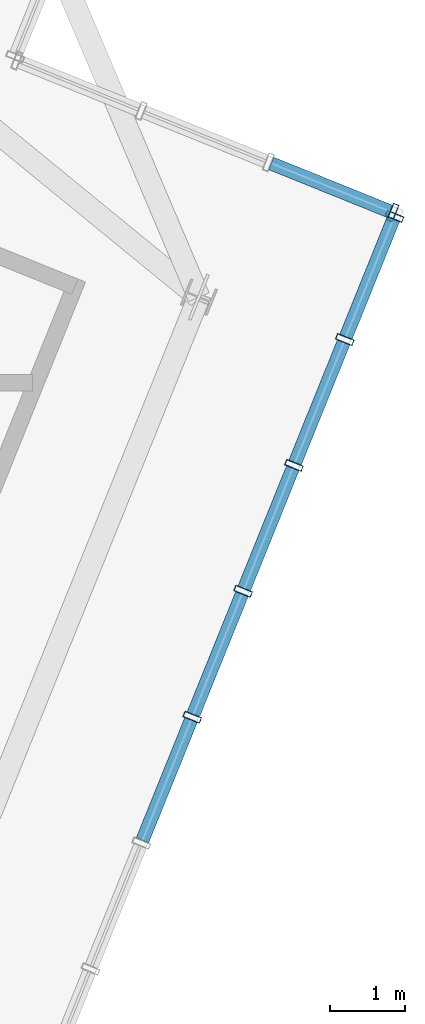
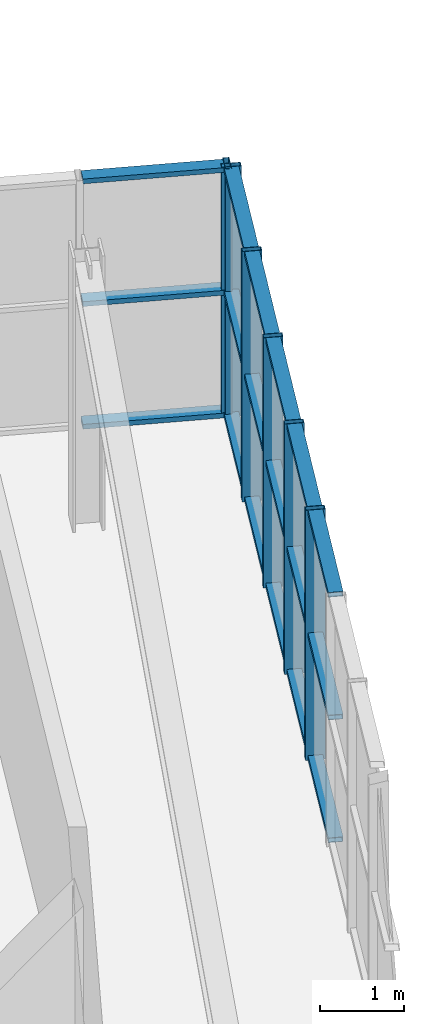
# One storey, part 11 of 26: 24 members, 2 elements without a shape of their own.
"""IFC4 building model written with IfcOpenShell, lengths in metres."""

from ifc_helpers import new_model, si_unit, direction, frame, origin, origin_2d, place, context, subcontext, project, spatial, hollow_rectangle, extrude, source, transform, mapped, material, layer, layer_set, material_profile, profile_set, type_object, element, aggregate, save


model = new_model("IFC4")

# Units and contexts
model_context = context("Model", 3, precision=1e-05, world=origin(), true_north=direction((0.0, 1.0)))
body_context = subcontext(model_context, "Body", "Model", "MODEL_VIEW")
ifc_project = project(units=[si_unit("LENGTHUNIT", "METRE"), si_unit("AREAUNIT", "SQUARE_METRE"), si_unit("VOLUMEUNIT", "CUBIC_METRE"), si_unit("PLANEANGLEUNIT", "RADIAN"), si_unit("MASSUNIT", "GRAM", prefix="KILO"), si_unit("THERMODYNAMICTEMPERATUREUNIT", "KELVIN")], contexts=[model_context])

# Site, building, storey
site_placement = place(None, origin())
site = spatial("IfcSite", under=ifc_project, at=site_placement, CompositionType="ELEMENT")
building_placement = place(site_placement, origin())
building = spatial("IfcBuilding", under=site, at=building_placement, Name="Kosmvard Interchange Tower", CompositionType="ELEMENT")
storey_placement = place(building_placement, frame((0.0, 0.0, 341.60009765625)))
storey = spatial("IfcBuildingStorey", under=building, at=storey_placement, Name="L84", CompositionType="ELEMENT", Elevation=341.60009765625)

# Curtain wall, members
ifc_material = material(Name="Architectural anodised aluminium", Category="aluminium")
ifc_layer = layer(ifc_material, 0.25, Name="Architectural anodised aluminium")
ifc_layer_set = layer_set([ifc_layer], Name="Architectural anodised aluminium")
curtain_wall_type = type_object("IfcCurtainWallType", Name="CW-6 Illuminated Crown Lantern Curtain Wall", PredefinedType="NOTDEFINED", material=ifc_layer_set)
curtain_wall_1_placement = place(storey_placement, origin())
curtain_wall_1 = element("IfcCurtainWall", 1, at=curtain_wall_1_placement, inside=storey, type_object=curtain_wall_type, Name="L84 Crown Lantern Glazing Face 01", PredefinedType="NOTDEFINED")
ifc_material_profile_1 = material_profile(ifc_material, hollow_rectangle(XDim=0.179931640625, YDim=0.070068359375, WallThickness=0.0048828125, at=origin_2d()), Name="CWT 180x70x5")
ifc_profile_set_1 = profile_set([ifc_material_profile_1], Name="Architectural anodised aluminium")
member_type_1 = type_object("IfcMemberType", Name="Heavy Lantern CW Transom 180x70 Aluminium", PredefinedType="USERDEFINED", material=ifc_profile_set_1)
shared_shape_1 = source(origin(), body_context, "Body", "SweptSolid", [
    extrude(hollow_rectangle(XDim=0.179931640625, YDim=0.070068359375, WallThickness=0.0048828125, at=origin_2d()), origin(), (0.0, 0.0, 1.0), 1.694091796875),
])
member_1_placement = place(storey_placement, frame((24.508544921875, 4.8154296875, 0.034912109375), z_axis=(0.374544061831, 0.927209116514, 0.0), x_axis=(-0.927209116514, 0.374544061831, 0.0)))
member_1 = element("IfcMember", 2, at=member_1_placement, type_object=member_type_1, Name="CW-6 transom 17.1", ObjectType="TRANSOM", PredefinedType="USERDEFINED", context=body_context, shape_type="MappedRepresentation", body=[
    mapped(shared_shape_1, transform((0.0, 0.0, 0.0), scale=1.0)),
])
member_2_placement = place(storey_placement, frame((24.508544921875, 4.8154296875, 1.824951171875), z_axis=(0.374544061831, 0.927209116514, 0.0), x_axis=(-0.927209116514, 0.374544061831, 0.0)))
member_2 = element("IfcMember", 3, at=member_2_placement, type_object=member_type_1, Name="CW-6 transom 17.2", ObjectType="TRANSOM", PredefinedType="USERDEFINED", context=body_context, shape_type="MappedRepresentation", body=[
    mapped(shared_shape_1, transform((0.0, 0.0, 0.0), scale=1.0)),
])
member_3_placement = place(storey_placement, frame((24.508544921875, 4.8154296875, 3.614990234375), z_axis=(0.374544061831, 0.927209116514, 0.0), x_axis=(-0.927209116514, 0.374544061831, 0.0)))
member_3 = element("IfcMember", 4, at=member_3_placement, type_object=member_type_1, Name="CW-6 transom 17.3", ObjectType="TRANSOM", PredefinedType="USERDEFINED", context=body_context, shape_type="MappedRepresentation", body=[
    mapped(shared_shape_1, transform((0.0, 0.0, 0.0), scale=1.0)),
])
shared_shape_2 = source(origin(), body_context, "Body", "SweptSolid", [
    extrude(hollow_rectangle(XDim=0.179931640625, YDim=0.070068359375, WallThickness=0.0048828125, at=origin_2d()), origin(), (0.0, 0.0, 1.0), 1.734130859375),
])
member_4_placement = place(storey_placement, frame((21.790283203125, -1.91259765625, 0.034912109375), z_axis=(0.374495638732, 0.927228675447, 0.0), x_axis=(-0.927228675447, 0.374495638732, 0.0)))
member_4 = element("IfcMember", 5, at=member_4_placement, type_object=member_type_1, Name="CW-6 transom 13.1", ObjectType="TRANSOM", PredefinedType="USERDEFINED", context=body_context, shape_type="MappedRepresentation", body=[
    mapped(shared_shape_2, transform((0.0, 0.0, 0.0), scale=1.0)),
])
member_5_placement = place(storey_placement, frame((21.790283203125, -1.91259765625, 1.824951171875), z_axis=(0.374495638732, 0.927228675447, 0.0), x_axis=(-0.927228675447, 0.374495638732, 0.0)))
member_5 = element("IfcMember", 6, at=member_5_placement, type_object=member_type_1, Name="CW-6 transom 13.2", ObjectType="TRANSOM", PredefinedType="USERDEFINED", context=body_context, shape_type="MappedRepresentation", body=[
    mapped(shared_shape_2, transform((0.0, 0.0, 0.0), scale=1.0)),
])
member_6_placement = place(storey_placement, frame((21.790283203125, -1.91259765625, 3.614990234375), z_axis=(0.374495638732, 0.927228675447, 0.0), x_axis=(-0.927228675447, 0.374495638732, 0.0)))
member_6 = element("IfcMember", 7, at=member_6_placement, type_object=member_type_1, Name="CW-6 transom 13.3", ObjectType="TRANSOM", PredefinedType="USERDEFINED", context=body_context, shape_type="MappedRepresentation", body=[
    mapped(shared_shape_2, transform((0.0, 0.0, 0.0), scale=1.0)),
])
member_7_placement = place(storey_placement, frame((23.1494140625, 1.451416015625, 0.034912109375), z_axis=(0.374616671924, 0.927179782522, 0.0), x_axis=(-0.927179782522, 0.374616671924, 0.0)))
member_7 = element("IfcMember", 8, at=member_7_placement, type_object=member_type_1, Name="CW-6 transom 15.1", ObjectType="TRANSOM", PredefinedType="USERDEFINED", context=body_context, shape_type="MappedRepresentation", body=[
    mapped(shared_shape_2, transform((0.0, 0.0, 0.0), scale=1.0)),
])
member_8_placement = place(storey_placement, frame((23.1494140625, 1.451416015625, 1.824951171875), z_axis=(0.374616671924, 0.927179782522, 0.0), x_axis=(-0.927179782522, 0.374616671924, 0.0)))
member_8 = element("IfcMember", 9, at=member_8_placement, type_object=member_type_1, Name="CW-6 transom 15.2", ObjectType="TRANSOM", PredefinedType="USERDEFINED", context=body_context, shape_type="MappedRepresentation", body=[
    mapped(shared_shape_2, transform((0.0, 0.0, 0.0), scale=1.0)),
])
member_9_placement = place(storey_placement, frame((23.1494140625, 1.451416015625, 3.614990234375), z_axis=(0.374616671924, 0.927179782522, 0.0), x_axis=(-0.927179782522, 0.374616671924, 0.0)))
member_9 = element("IfcMember", 10, at=member_9_placement, type_object=member_type_1, Name="CW-6 transom 15.3", ObjectType="TRANSOM", PredefinedType="USERDEFINED", context=body_context, shape_type="MappedRepresentation", body=[
    mapped(shared_shape_2, transform((0.0, 0.0, 0.0), scale=1.0)),
])
shared_shape_3 = source(origin(), body_context, "Body", "SweptSolid", [
    extrude(hollow_rectangle(XDim=0.179931640625, YDim=0.070068359375, WallThickness=0.0048828125, at=origin_2d()), origin(), (0.0, 0.0, 1.0), 1.73388671875),
])
member_10_placement = place(storey_placement, frame((22.4697265625, -0.23046875, 0.034912109375), z_axis=(0.374665576032, 0.927160021861, 0.0), x_axis=(-0.927160021861, 0.374665576032, 0.0)))
member_10 = element("IfcMember", 11, at=member_10_placement, type_object=member_type_1, Name="CW-6 transom 14.1", ObjectType="TRANSOM", PredefinedType="USERDEFINED", context=body_context, shape_type="MappedRepresentation", body=[
    mapped(shared_shape_3, transform((0.0, 0.0, 0.0), scale=1.0)),
])
member_11_placement = place(storey_placement, frame((22.4697265625, -0.23046875, 1.824951171875), z_axis=(0.374665576032, 0.927160021861, 0.0), x_axis=(-0.927160021861, 0.374665576032, 0.0)))
member_11 = element("IfcMember", 12, at=member_11_placement, type_object=member_type_1, Name="CW-6 transom 14.2", ObjectType="TRANSOM", PredefinedType="USERDEFINED", context=body_context, shape_type="MappedRepresentation", body=[
    mapped(shared_shape_3, transform((0.0, 0.0, 0.0), scale=1.0)),
])
member_12_placement = place(storey_placement, frame((22.4697265625, -0.23046875, 3.614990234375), z_axis=(0.374665576032, 0.927160021861, 0.0), x_axis=(-0.927160021861, 0.374665576032, 0.0)))
member_12 = element("IfcMember", 13, at=member_12_placement, type_object=member_type_1, Name="CW-6 transom 14.3", ObjectType="TRANSOM", PredefinedType="USERDEFINED", context=body_context, shape_type="MappedRepresentation", body=[
    mapped(shared_shape_3, transform((0.0, 0.0, 0.0), scale=1.0)),
])
member_13_placement = place(storey_placement, frame((23.828857421875, 3.133544921875, 0.034912109375), z_axis=(0.374665576032, 0.927160021861, 0.0), x_axis=(-0.927160021861, 0.374665576032, 0.0)))
member_13 = element("IfcMember", 14, at=member_13_placement, type_object=member_type_1, Name="CW-6 transom 16.1", ObjectType="TRANSOM", PredefinedType="USERDEFINED", context=body_context, shape_type="MappedRepresentation", body=[
    mapped(shared_shape_3, transform((0.0, 0.0, 0.0), scale=1.0)),
])
member_14_placement = place(storey_placement, frame((23.828857421875, 3.133544921875, 1.824951171875), z_axis=(0.374665576032, 0.927160021861, 0.0), x_axis=(-0.927160021861, 0.374665576032, 0.0)))
member_14 = element("IfcMember", 15, at=member_14_placement, type_object=member_type_1, Name="CW-6 transom 16.2", ObjectType="TRANSOM", PredefinedType="USERDEFINED", context=body_context, shape_type="MappedRepresentation", body=[
    mapped(shared_shape_3, transform((0.0, 0.0, 0.0), scale=1.0)),
])
member_15_placement = place(storey_placement, frame((23.828857421875, 3.133544921875, 3.614990234375), z_axis=(0.374665576032, 0.927160021861, 0.0), x_axis=(-0.927160021861, 0.374665576032, 0.0)))
member_15 = element("IfcMember", 16, at=member_15_placement, type_object=member_type_1, Name="CW-6 transom 16.3", ObjectType="TRANSOM", PredefinedType="USERDEFINED", context=body_context, shape_type="MappedRepresentation", body=[
    mapped(shared_shape_3, transform((0.0, 0.0, 0.0), scale=1.0)),
])

curtain_wall_2_placement = place(storey_placement, origin())
curtain_wall_2 = element("IfcCurtainWall", 17, at=curtain_wall_2_placement, inside=storey, type_object=curtain_wall_type, Name="L84 Crown Lantern Glazing Face 02", PredefinedType="NOTDEFINED")
shared_shape_4 = source(origin(), body_context, "Body", "SweptSolid", [
    extrude(hollow_rectangle(XDim=0.179931640625, YDim=0.070068359375, WallThickness=0.0048828125, at=origin_2d()), origin(), (0.0, 0.0, 1.0), 1.71337890625),
])
member_16_placement = place(storey_placement, frame((25.098876953125, 6.490478515625, 0.034912109375), z_axis=(-0.927233273404, 0.374484254265, 0.0), x_axis=(-0.374484254265, -0.927233273404, 0.0)))
member_16 = element("IfcMember", 18, at=member_16_placement, type_object=member_type_1, Name="CW-6 transom 1.1", ObjectType="TRANSOM", PredefinedType="USERDEFINED", context=body_context, shape_type="MappedRepresentation", body=[
    mapped(shared_shape_4, transform((0.0, 0.0, 0.0), scale=1.0)),
])
member_17_placement = place(storey_placement, frame((25.098876953125, 6.490478515625, 1.824951171875), z_axis=(-0.927233273404, 0.374484254265, 0.0), x_axis=(-0.374484254265, -0.927233273404, 0.0)))
member_17 = element("IfcMember", 19, at=member_17_placement, type_object=member_type_1, Name="CW-6 transom 1.2", ObjectType="TRANSOM", PredefinedType="USERDEFINED", context=body_context, shape_type="MappedRepresentation", body=[
    mapped(shared_shape_4, transform((0.0, 0.0, 0.0), scale=1.0)),
])
member_18_placement = place(storey_placement, frame((25.098876953125, 6.490478515625, 3.614990234375), z_axis=(-0.927233273404, 0.374484254265, 0.0), x_axis=(-0.374484254265, -0.927233273404, 0.0)))
member_18 = element("IfcMember", 20, at=member_18_placement, type_object=member_type_1, Name="CW-6 transom 1.3", ObjectType="TRANSOM", PredefinedType="USERDEFINED", context=body_context, shape_type="MappedRepresentation", body=[
    mapped(shared_shape_4, transform((0.0, 0.0, 0.0), scale=1.0)),
])

# Member
ifc_material_profile_2 = material_profile(ifc_material, hollow_rectangle(XDim=0.239990234375, YDim=0.080078125, WallThickness=0.006103515625, at=origin_2d()), Name="CWM 240x80x6")
ifc_profile_set_2 = profile_set([ifc_material_profile_2], Name="Architectural anodised aluminium")
member_type_2 = type_object("IfcMemberType", Name="Lantern & Observation CW Mullion 240x80 Aluminium", PredefinedType="MULLION", material=ifc_profile_set_2)
shared_shape_5 = source(origin(), body_context, "Body", "SweptSolid", [
    extrude(hollow_rectangle(XDim=0.239990234375, YDim=0.080078125, WallThickness=0.006103515625, at=origin_2d()), origin(), (0.0, 0.0, 1.0), 3.64990234375),
])
member_19_placement = place(storey_placement, frame((22.454833984375, -0.267578125, 0.0), z_axis=(0.0, 0.0, 1.0), x_axis=(-0.927183858065, 0.374606584758, 0.0)))
member_19 = element("IfcMember", 21, at=member_19_placement, type_object=member_type_2, Name="CW-6 mullion 14", PredefinedType="MULLION", context=body_context, shape_type="MappedRepresentation", body=[
    mapped(shared_shape_5, transform((0.0, 0.0, 0.0), scale=1.0)),
])

member_20_placement = place(storey_placement, frame((23.13427734375, 1.414306640625, 0.0), z_axis=(0.0, 0.0, 1.0), x_axis=(-0.927183858065, 0.374606584758, 0.0)))
member_20 = element("IfcMember", 22, at=member_20_placement, type_object=member_type_2, Name="CW-6 mullion 15", PredefinedType="MULLION", context=body_context, shape_type="MappedRepresentation", body=[
    mapped(shared_shape_5, transform((0.0, 0.0, 0.0), scale=1.0)),
])

member_21_placement = place(storey_placement, frame((23.81396484375, 3.096435546875, 0.0), z_axis=(0.0, 0.0, 1.0), x_axis=(-0.927183858065, 0.374606584758, 0.0)))
member_21 = element("IfcMember", 23, at=member_21_placement, type_object=member_type_2, Name="CW-6 mullion 16", PredefinedType="MULLION", context=body_context, shape_type="MappedRepresentation", body=[
    mapped(shared_shape_5, transform((0.0, 0.0, 0.0), scale=1.0)),
])

member_22_placement = place(storey_placement, frame((24.49365234375, 4.7783203125, 0.0), z_axis=(0.0, 0.0, 1.0), x_axis=(-0.927183858065, 0.374606584758, 0.0)))
member_22 = element("IfcMember", 24, at=member_22_placement, type_object=member_type_2, Name="CW-6 mullion 17", PredefinedType="MULLION", context=body_context, shape_type="MappedRepresentation", body=[
    mapped(shared_shape_5, transform((0.0, 0.0, 0.0), scale=1.0)),
])

member_23_placement = place(storey_placement, frame((25.158203125, 6.42333984375, 0.0), z_axis=(0.0, 0.0, 1.0), x_axis=(-0.927183858065, 0.374606584758, 0.0)))
member_23 = element("IfcMember", 25, at=member_23_placement, type_object=member_type_2, Name="CW-6 mullion 18", PredefinedType="MULLION", context=body_context, shape_type="MappedRepresentation", body=[
    mapped(shared_shape_5, transform((0.0, 0.0, 0.0), scale=1.0)),
])

aggregate(curtain_wall_1, [member_19, member_20, member_21, member_22, member_23, member_4, member_5, member_6, member_10, member_11, member_12, member_7, member_8, member_9, member_13, member_14, member_15, member_1, member_2, member_3])

member_24_placement = place(storey_placement, frame((25.135986328125, 6.475341796875, 0.0), z_axis=(0.0, 0.0, 1.0), x_axis=(-0.374606564822, -0.92718386612, 0.0)))
member_24 = element("IfcMember", 26, at=member_24_placement, type_object=member_type_2, Name="CW-6 mullion 1", PredefinedType="MULLION", context=body_context, shape_type="MappedRepresentation", body=[
    mapped(shared_shape_5, transform((0.0, 0.0, 0.0), scale=1.0)),
])

aggregate(curtain_wall_2, [member_24, member_16, member_17, member_18])

save(model, "model.ifc")
